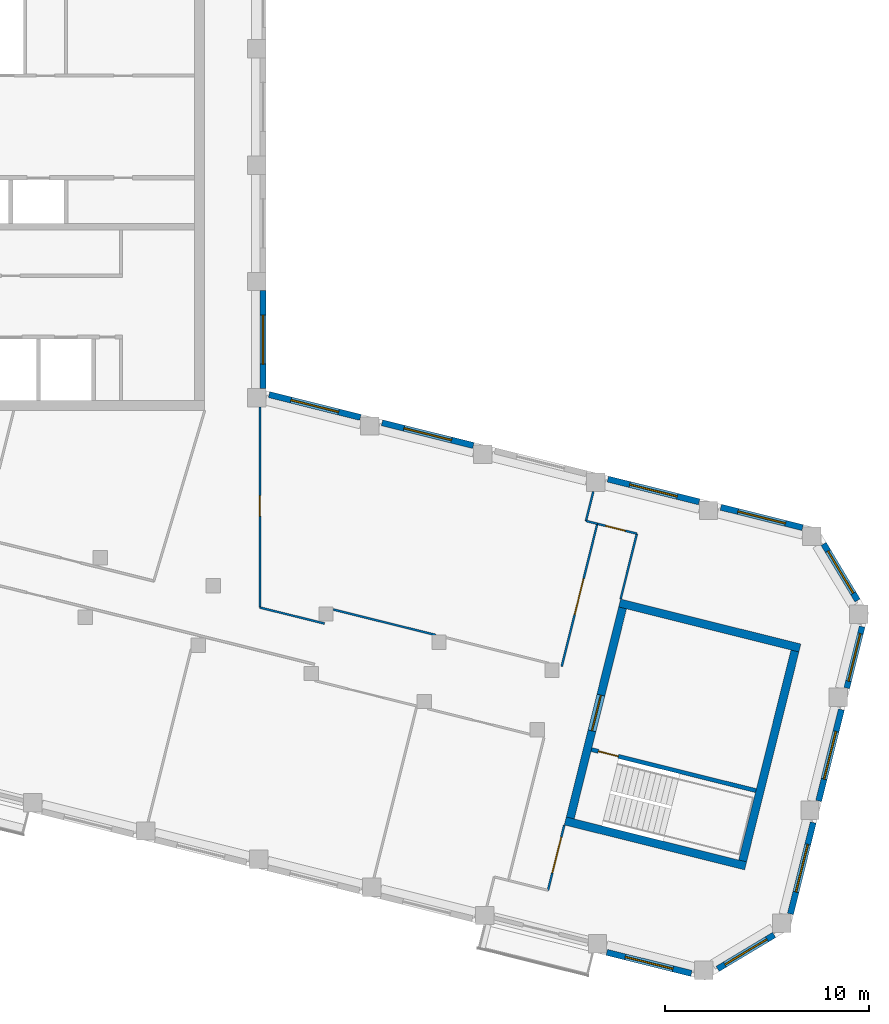
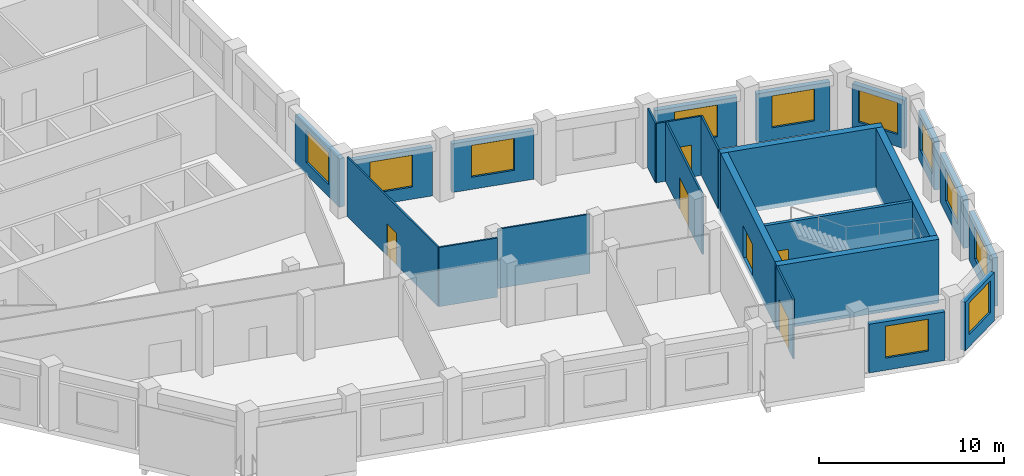
# One storey, part 4 of 8: 25 walls, 11 windows, 6 doors, 17 openings.
"""IFC4 building model written with IfcOpenShell, lengths in metres."""

from ifc_helpers import new_model, si_unit, direction, frame, frame_2d, origin, place, context, subcontext, project, spatial, rectangle, extrude, material, layer, layer_set, type_object, element, fill, save


model = new_model("IFC4")

# Units and contexts
model_context = context("Model", 3, precision=1e-05, world=origin(), true_north=direction((0.0, 1.0)))
body_context = subcontext(model_context, "Body", "Model", "MODEL_VIEW")
ifc_project = project(units=[si_unit("LENGTHUNIT", "METRE"), si_unit("AREAUNIT", "SQUARE_METRE"), si_unit("VOLUMEUNIT", "CUBIC_METRE"), si_unit("PLANEANGLEUNIT", "RADIAN"), si_unit("MASSUNIT", "GRAM", prefix="KILO")], contexts=[model_context])

# Site, building, storey
site_placement = place(None, origin())
site = spatial("IfcSite", under=ifc_project, at=site_placement, CompositionType="ELEMENT")
building_placement = place(site_placement, origin())
building = spatial("IfcBuilding", under=site, at=building_placement, Name="Meshkara Civic Tower", CompositionType="ELEMENT")
storey_placement = place(building_placement, frame((0.0, 0.0, 362.39990234375)))
storey = spatial("IfcBuildingStorey", under=building, at=storey_placement, Name="L83", CompositionType="ELEMENT", Elevation=362.39990234375)

# Wall, opening, door
ifc_material_1 = material(Name="Corridor wall 100")
ifc_layer_1 = layer(ifc_material_1, 0.10009765625)
ifc_layer_set_1 = layer_set([ifc_layer_1], Name="Corridor wall 100")
wall_type_1 = type_object("IfcWallType", Name="Corridor wall 100", PredefinedType="PARTITIONING", material=ifc_layer_set_1)
wall_1_placement = place(storey_placement, frame((33.5, 4.452880859375, 0.0), z_axis=(0.0, 0.0, 1.0), x_axis=(0.0, 1.0, 0.0)))
wall_1 = element("IfcWall", 1, at=wall_1_placement, inside=storey, type_object=wall_type_1, Name="L83-W020", PredefinedType="PARTITIONING", context=body_context, shape_type="SweptSolid", body=[
    extrude(rectangle(XDim=9.816162109375, YDim=0.10009765625, at=frame_2d((4.908203125, 0.0))), origin(), (0.0, 0.0, 1.0), 3.900146484375),
])
opening_1_placement = place(wall_1_placement, frame((4.47998046875, 0.0, 0.0)))
opening_1 = element("IfcOpeningElement", 2, at=opening_1_placement, cuts=wall_1, Name="Opening L83-D009", PredefinedType="OPENING", context=body_context, shape_type="SweptSolid", body=[
    extrude(rectangle(XDim=1.0, YDim=2.10009765625, at=frame_2d((0.5, 1.050048828125))), frame((0.0, 0.06005859375, 0.0), z_axis=(0.0, -1.0, 0.0), x_axis=(1.0, 0.0, 0.0)), (0.0, 0.0, 1.0), 0.1201171875),
])
ifc_material_2 = material(Name="Door 1000 x 2100")
door_type_1 = type_object("IfcDoorType", Name="Door 1000 x 2100", OperationType="SINGLE_SWING_LEFT", PredefinedType="DOOR", material=ifc_material_2)
door_1_placement = place(opening_1_placement, origin())
door_1 = element("IfcDoor", 3, at=door_1_placement, inside=storey, type_object=door_type_1, Name="L83-D009", OperationType="SINGLE_SWING_LEFT", OverallHeight=2.10009765625, OverallWidth=1.0, PredefinedType="DOOR", context=body_context, shape_type="SweptSolid", body=[
    extrude(rectangle(XDim=1.0, YDim=2.10009765625, at=frame_2d((0.5, 1.050048828125))), frame((0.0, 0.02490234375, 0.0), z_axis=(0.0, -1.0, 0.0), x_axis=(1.0, 0.0, 0.0)), (0.0, 0.0, 1.0), 0.050048828125),
])
fill(opening_1, door_1)

# Walls
wall_2_placement = place(storey_placement, frame((36.669921875, 3.6630859375, 0.0), z_axis=(0.0, 0.0, 1.0), x_axis=(-0.970335618677, 0.241761839681, 0.0)))
element("IfcWall", 4, at=wall_2_placement, inside=storey, type_object=wall_type_1, Name="L83-W022", PredefinedType="PARTITIONING", context=body_context, shape_type="SweptSolid", body=[
    extrude(rectangle(XDim=3.266845703125, YDim=0.10009765625, at=frame_2d((1.63330078125, 0.0))), origin(), (0.0, 0.0, 1.0), 3.900146484375),
])
wall_3_placement = place(storey_placement, frame((42.10888671875, 3.10498046875, 0.0), z_axis=(0.0, 0.0, 1.0), x_axis=(-0.970289531541, 0.241946739969, 0.0)))
element("IfcWall", 5, at=wall_3_placement, inside=storey, type_object=wall_type_1, Name="L83-W024", PredefinedType="PARTITIONING", context=body_context, shape_type="SweptSolid", body=[
    extrude(rectangle(XDim=5.17041015625, YDim=0.10009765625, at=frame_2d((2.585205078125, 0.0))), origin(), (0.0, 0.0, 1.0), 3.900146484375),
])

# Wall, opening, door
wall_4_placement = place(storey_placement, frame((47.611083984375, -9.39697265625, 0.0), z_axis=(0.0, 0.0, 1.0), x_axis=(0.241786986316, 0.970329352977, 0.0)))
wall_4 = element("IfcWall", 6, at=wall_4_placement, inside=storey, type_object=wall_type_1, Name="L83-W027", PredefinedType="PARTITIONING", context=body_context, shape_type="SweptSolid", body=[
    extrude(rectangle(XDim=3.2998046875, YDim=0.10009765625, at=frame_2d((1.64990234375, 0.0))), origin(), (0.0, 0.0, 1.0), 3.900146484375),
])
opening_2_placement = place(wall_4_placement, frame((0.8798828125, 0.0, 0.0)))
opening_2 = element("IfcOpeningElement", 7, at=opening_2_placement, cuts=wall_4, Name="Opening L83-D001", PredefinedType="OPENING", context=body_context, shape_type="SweptSolid", body=[
    extrude(rectangle(XDim=1.800048828125, YDim=2.10009765625, at=frame_2d((0.89990234375, 1.050048828125))), frame((0.0, 0.06005859375, 0.0), z_axis=(0.0, -1.0, 0.0), x_axis=(1.0, 0.0, 0.0)), (0.0, 0.0, 1.0), 0.1201171875),
])
ifc_material_3 = material(Name="Door pair 1800 x 2100")
door_type_2 = type_object("IfcDoorType", Name="Door pair 1800 x 2100", OperationType="SINGLE_SWING_LEFT", PredefinedType="DOOR", material=ifc_material_3)
door_2_placement = place(opening_2_placement, origin())
door_2 = element("IfcDoor", 8, at=door_2_placement, inside=storey, type_object=door_type_2, Name="L83-D001", OperationType="DOUBLE_DOOR_SINGLE_SWING", OverallHeight=2.10009765625, OverallWidth=1.800048828125, PredefinedType="DOOR", context=body_context, shape_type="SweptSolid", body=[
    extrude(rectangle(XDim=1.800048828125, YDim=2.10009765625, at=frame_2d((0.89990234375, 1.050048828125))), frame((0.0, 0.02490234375, 0.0), z_axis=(0.0, -1.0, 0.0), x_axis=(1.0, 0.0, 0.0)), (0.0, 0.0, 1.0), 0.050048828125),
])
fill(opening_2, door_2)

wall_5_placement = place(storey_placement, frame((50.02490234375, 8.552001953125, 0.0), z_axis=(0.0, 0.0, 1.0), x_axis=(-0.241937193493, -0.970291911955, 0.0)))
wall_5 = element("IfcWall", 9, at=wall_5_placement, inside=storey, type_object=wall_type_1, Name="L83-W029", PredefinedType="PARTITIONING", context=body_context, shape_type="SweptSolid", body=[
    extrude(rectangle(XDim=7.199951171875, YDim=0.10009765625, at=frame_2d((3.60009765625, 0.0))), origin(), (0.0, 0.0, 1.0), 3.900146484375),
])
opening_3_placement = place(wall_5_placement, frame((2.780029296875, 0.0, 0.0)))
opening_3 = element("IfcOpeningElement", 10, at=opening_3_placement, cuts=wall_5, Name="Opening L83-D005", PredefinedType="OPENING", context=body_context, shape_type="SweptSolid", body=[
    extrude(rectangle(XDim=1.800048828125, YDim=2.10009765625, at=frame_2d((0.89990234375, 1.050048828125))), frame((0.0, 0.06005859375, 0.0), z_axis=(0.0, -1.0, 0.0), x_axis=(1.0, 0.0, 0.0)), (0.0, 0.0, 1.0), 0.1201171875),
])
door_3_placement = place(opening_3_placement, origin())
door_3 = element("IfcDoor", 11, at=door_3_placement, inside=storey, type_object=door_type_2, Name="L83-D005", OperationType="DOUBLE_DOOR_SINGLE_SWING", OverallHeight=2.10009765625, OverallWidth=1.800048828125, PredefinedType="DOOR", context=body_context, shape_type="SweptSolid", body=[
    extrude(rectangle(XDim=1.800048828125, YDim=2.10009765625, at=frame_2d((0.89990234375, 1.050048828125))), frame((0.0, 0.02490234375, 0.0), z_axis=(0.0, -1.0, 0.0), x_axis=(1.0, 0.0, 0.0)), (0.0, 0.0, 1.0), 0.050048828125),
])
fill(opening_3, door_3)

# Wall
wall_6_placement = place(storey_placement, frame((51.1669921875, 4.865966796875, 0.0), z_axis=(0.0, 0.0, 1.0), x_axis=(0.241839284064, 0.97031631991, 0.0)))
element("IfcWall", 12, at=wall_6_placement, inside=storey, type_object=wall_type_1, Name="L83-W030", PredefinedType="PARTITIONING", context=body_context, shape_type="SweptSolid", body=[
    extrude(rectangle(XDim=3.300048828125, YDim=0.10009765625, at=frame_2d((1.64990234375, 0.0))), origin(), (0.0, 0.0, 1.0), 3.900146484375),
])

# Wall, opening, door
wall_7_placement = place(storey_placement, frame((51.965087890625, 8.068115234375, 0.0), z_axis=(0.0, 0.0, 1.0), x_axis=(-0.970278804284, 0.241989755894, 0.0)))
wall_7 = element("IfcWall", 13, at=wall_7_placement, inside=storey, type_object=wall_type_1, Name="L83-W031", PredefinedType="PARTITIONING", context=body_context, shape_type="SweptSolid", body=[
    extrude(rectangle(XDim=1.99951171875, YDim=0.10009765625, at=frame_2d((0.999755859375, 0.0))), origin(), (0.0, 0.0, 1.0), 3.900146484375),
])
opening_4_placement = place(wall_7_placement, frame((0.580078125, 0.0, 0.0)))
opening_4 = element("IfcOpeningElement", 14, at=opening_4_placement, cuts=wall_7, Name="Opening L83-D010", PredefinedType="OPENING", context=body_context, shape_type="SweptSolid", body=[
    extrude(rectangle(XDim=1.0, YDim=2.10009765625, at=frame_2d((0.5, 1.050048828125))), frame((0.0, 0.06005859375, 0.0), z_axis=(0.0, -1.0, 0.0), x_axis=(1.0, 0.0, 0.0)), (0.0, 0.0, 1.0), 0.1201171875),
])
door_4_placement = place(opening_4_placement, origin())
door_4 = element("IfcDoor", 15, at=door_4_placement, inside=storey, type_object=door_type_1, Name="L83-D010", OperationType="SINGLE_SWING_LEFT", OverallHeight=2.10009765625, OverallWidth=1.0, PredefinedType="DOOR", context=body_context, shape_type="SweptSolid", body=[
    extrude(rectangle(XDim=1.0, YDim=2.10009765625, at=frame_2d((0.5, 1.050048828125))), frame((0.0, 0.02490234375, 0.0), z_axis=(0.0, -1.0, 0.0), x_axis=(1.0, 0.0, 0.0)), (0.0, 0.0, 1.0), 0.050048828125),
])
fill(opening_4, door_4)

# Wall, opening, window
ifc_material_4 = material(Name="Insulated infill panel with bronze anodised aluminium cladding", Category="aluminium")
ifc_layer_2 = layer(ifc_material_4, 0.300048828125)
ifc_layer_set_2 = layer_set([ifc_layer_2], Name="EXTERNAL INFILL WALL 300")
wall_type_2 = type_object("IfcWallType", Name="EXTERNAL INFILL WALL 300", PredefinedType="SOLIDWALL", material=ifc_layer_set_2)
wall_8_placement = place(storey_placement, frame((60.075927734375, 8.364990234375, 0.0), z_axis=(0.0, 0.0, 1.0), x_axis=(-0.970323340708, 0.24181111322, 0.0)))
wall_8 = element("IfcWall", 16, at=wall_8_placement, inside=storey, type_object=wall_type_2, Name="External wall", PredefinedType="SOLIDWALL", context=body_context, shape_type="SweptSolid", body=[
    extrude(rectangle(XDim=4.123291015625, YDim=0.300048828125, at=frame_2d((2.0615234375, 0.0))), origin(), (0.0, 0.0, 1.0), 3.2001953125),
])
opening_5_placement = place(wall_8_placement, frame((0.862060546875, 0.0, 0.800048828125)))
opening_5 = element("IfcOpeningElement", 17, at=opening_5_placement, cuts=wall_8, Name="Opening W7", PredefinedType="OPENING", context=body_context, shape_type="SweptSolid", body=[
    extrude(rectangle(XDim=2.39990234375, YDim=2.10009765625, at=frame_2d((1.199951171875, 1.050048828125))), frame((0.0, 0.159912109375, 0.0), z_axis=(0.0, -1.0, 0.0), x_axis=(1.0, 0.0, 0.0)), (0.0, 0.0, 1.0), 0.320068359375),
])
ifc_material_5 = material(Name="Tinted double glazing", Category="glass")
window_type = type_object("IfcWindowType", Name="WINDOW 2400x2100", PartitioningType="DOUBLE_PANEL_VERTICAL", PredefinedType="WINDOW", material=ifc_material_5)
window_1_placement = place(opening_5_placement, origin())
window_1 = element("IfcWindow", 18, at=window_1_placement, inside=storey, type_object=window_type, Name="Window", OverallHeight=2.10009765625, OverallWidth=2.39990234375, PartitioningType="DOUBLE_PANEL_VERTICAL", PredefinedType="WINDOW", context=body_context, shape_type="SweptSolid", body=[
    extrude(rectangle(XDim=2.39990234375, YDim=2.10009765625, at=frame_2d((1.199951171875, 1.050048828125))), frame((0.0, 0.030029296875, 0.0), z_axis=(0.0, -1.0, 0.0), x_axis=(1.0, 0.0, 0.0)), (0.0, 0.0, 1.0), 0.06005859375),
])
fill(opening_5, window_1)

wall_9_placement = place(storey_placement, frame((55.01611328125, 9.6259765625, 0.0), z_axis=(0.0, 0.0, 1.0), x_axis=(-0.970298093093, 0.241912402618, 0.0)))
wall_9 = element("IfcWall", 19, at=wall_9_placement, inside=storey, type_object=wall_type_2, Name="External wall", PredefinedType="SOLIDWALL", context=body_context, shape_type="SweptSolid", body=[
    extrude(rectangle(XDim=4.609130859375, YDim=0.300048828125, at=frame_2d((2.3046875, 0.0))), origin(), (0.0, 0.0, 1.0), 3.2001953125),
])
opening_6_placement = place(wall_9_placement, frame((1.10498046875, 0.0, 0.800048828125)))
opening_6 = element("IfcOpeningElement", 20, at=opening_6_placement, cuts=wall_9, Name="Opening W7", PredefinedType="OPENING", context=body_context, shape_type="SweptSolid", body=[
    extrude(rectangle(XDim=2.39990234375, YDim=2.10009765625, at=frame_2d((1.199951171875, 1.050048828125))), frame((0.0, 0.159912109375, 0.0), z_axis=(0.0, -1.0, 0.0), x_axis=(1.0, 0.0, 0.0)), (0.0, 0.0, 1.0), 0.320068359375),
])
window_2_placement = place(opening_6_placement, origin())
window_2 = element("IfcWindow", 21, at=window_2_placement, inside=storey, type_object=window_type, Name="Window", OverallHeight=2.10009765625, OverallWidth=2.39990234375, PartitioningType="DOUBLE_PANEL_VERTICAL", PredefinedType="WINDOW", context=body_context, shape_type="SweptSolid", body=[
    extrude(rectangle(XDim=2.39990234375, YDim=2.10009765625, at=frame_2d((1.199951171875, 1.050048828125))), frame((0.0, 0.030029296875, 0.0), z_axis=(0.0, -1.0, 0.0), x_axis=(1.0, 0.0, 0.0)), (0.0, 0.0, 1.0), 0.06005859375),
])
fill(opening_6, window_2)

wall_10_placement = place(storey_placement, frame((43.9541015625, 12.384033203125, 0.0), z_axis=(0.0, 0.0, 1.0), x_axis=(-0.970285689791, 0.241962146187, 0.0)))
wall_10 = element("IfcWall", 22, at=wall_10_placement, inside=storey, type_object=wall_type_2, Name="External wall", PredefinedType="SOLIDWALL", context=body_context, shape_type="SweptSolid", body=[
    extrude(rectangle(XDim=4.608154296875, YDim=0.300048828125, at=frame_2d((2.30419921875, 0.0))), origin(), (0.0, 0.0, 1.0), 3.2001953125),
])
opening_7_placement = place(wall_10_placement, frame((1.10400390625, 0.0, 0.800048828125)))
opening_7 = element("IfcOpeningElement", 23, at=opening_7_placement, cuts=wall_10, Name="Opening W7", PredefinedType="OPENING", context=body_context, shape_type="SweptSolid", body=[
    extrude(rectangle(XDim=2.39990234375, YDim=2.10009765625, at=frame_2d((1.199951171875, 1.050048828125))), frame((0.0, 0.159912109375, 0.0), z_axis=(0.0, -1.0, 0.0), x_axis=(1.0, 0.0, 0.0)), (0.0, 0.0, 1.0), 0.320068359375),
])
window_3_placement = place(opening_7_placement, origin())
window_3 = element("IfcWindow", 24, at=window_3_placement, inside=storey, type_object=window_type, Name="Window", OverallHeight=2.10009765625, OverallWidth=2.39990234375, PartitioningType="DOUBLE_PANEL_VERTICAL", PredefinedType="WINDOW", context=body_context, shape_type="SweptSolid", body=[
    extrude(rectangle(XDim=2.39990234375, YDim=2.10009765625, at=frame_2d((1.199951171875, 1.050048828125))), frame((0.0, 0.030029296875, 0.0), z_axis=(0.0, -1.0, 0.0), x_axis=(1.0, 0.0, 0.0)), (0.0, 0.0, 1.0), 0.06005859375),
])
fill(opening_7, window_3)

wall_11_placement = place(storey_placement, frame((38.424072265625, 13.762939453125, 0.0), z_axis=(0.0, 0.0, 1.0), x_axis=(-0.970248341479, 0.24211186641, 0.0)))
wall_11 = element("IfcWall", 25, at=wall_11_placement, inside=storey, type_object=wall_type_2, Name="External wall", PredefinedType="SOLIDWALL", context=body_context, shape_type="SweptSolid", body=[
    extrude(rectangle(XDim=4.609375, YDim=0.300048828125, at=frame_2d((2.3046875, 0.0))), origin(), (0.0, 0.0, 1.0), 3.2001953125),
])
opening_8_placement = place(wall_11_placement, frame((1.10498046875, 0.0, 0.800048828125)))
opening_8 = element("IfcOpeningElement", 26, at=opening_8_placement, cuts=wall_11, Name="Opening W7", PredefinedType="OPENING", context=body_context, shape_type="SweptSolid", body=[
    extrude(rectangle(XDim=2.39990234375, YDim=2.10009765625, at=frame_2d((1.199951171875, 1.050048828125))), frame((0.0, 0.159912109375, 0.0), z_axis=(0.0, -1.0, 0.0), x_axis=(1.0, 0.0, 0.0)), (0.0, 0.0, 1.0), 0.320068359375),
])
window_4_placement = place(opening_8_placement, origin())
window_4 = element("IfcWindow", 27, at=window_4_placement, inside=storey, type_object=window_type, Name="Window", OverallHeight=2.10009765625, OverallWidth=2.39990234375, PartitioningType="DOUBLE_PANEL_VERTICAL", PredefinedType="WINDOW", context=body_context, shape_type="SweptSolid", body=[
    extrude(rectangle(XDim=2.39990234375, YDim=2.10009765625, at=frame_2d((1.199951171875, 1.050048828125))), frame((0.0, 0.030029296875, 0.0), z_axis=(0.0, -1.0, 0.0), x_axis=(1.0, 0.0, 0.0)), (0.0, 0.0, 1.0), 0.06005859375),
])
fill(opening_8, window_4)

wall_12_placement = place(storey_placement, frame((33.64990234375, 15.1689453125, 0.0), z_axis=(0.0, 0.0, 1.0), x_axis=(0.0, 1.0, 0.0)))
wall_12 = element("IfcWall", 28, at=wall_12_placement, inside=storey, type_object=wall_type_2, Name="External wall", PredefinedType="SOLIDWALL", context=body_context, shape_type="SweptSolid", body=[
    extrude(rectangle(XDim=4.800048828125, YDim=0.300048828125, at=frame_2d((2.39990234375, 0.0))), origin(), (0.0, 0.0, 1.0), 3.2001953125),
])
opening_9_placement = place(wall_12_placement, frame((1.199951171875, 0.0, 0.800048828125)))
opening_9 = element("IfcOpeningElement", 29, at=opening_9_placement, cuts=wall_12, Name="Opening W7", PredefinedType="OPENING", context=body_context, shape_type="SweptSolid", body=[
    extrude(rectangle(XDim=2.39990234375, YDim=2.10009765625, at=frame_2d((1.199951171875, 1.050048828125))), frame((0.0, 0.159912109375, 0.0), z_axis=(0.0, -1.0, 0.0), x_axis=(1.0, 0.0, 0.0)), (0.0, 0.0, 1.0), 0.320068359375),
])
window_5_placement = place(opening_9_placement, origin())
window_5 = element("IfcWindow", 30, at=window_5_placement, inside=storey, type_object=window_type, Name="Window", OverallHeight=2.10009765625, OverallWidth=2.39990234375, PartitioningType="DOUBLE_PANEL_VERTICAL", PredefinedType="WINDOW", context=body_context, shape_type="SweptSolid", body=[
    extrude(rectangle(XDim=2.39990234375, YDim=2.10009765625, at=frame_2d((1.199951171875, 1.050048828125))), frame((0.0, 0.030029296875, 0.0), z_axis=(0.0, -1.0, 0.0), x_axis=(1.0, 0.0, 0.0)), (0.0, 0.0, 1.0), 0.06005859375),
])
fill(opening_9, window_5)

wall_13_placement = place(storey_placement, frame((50.491943359375, -12.43505859375, 0.0), z_axis=(0.0, 0.0, 1.0), x_axis=(0.970323940244, -0.241808707429, 0.0)))
wall_13 = element("IfcWall", 31, at=wall_13_placement, inside=storey, type_object=wall_type_2, Name="External wall", PredefinedType="SOLIDWALL", context=body_context, shape_type="SweptSolid", body=[
    extrude(rectangle(XDim=4.267822265625, YDim=0.300048828125, at=frame_2d((2.1337890625, 0.0))), origin(), (0.0, 0.0, 1.0), 3.2001953125),
])
opening_10_placement = place(wall_13_placement, frame((0.93408203125, 0.0, 0.800048828125)))
opening_10 = element("IfcOpeningElement", 32, at=opening_10_placement, cuts=wall_13, Name="Opening W7", PredefinedType="OPENING", context=body_context, shape_type="SweptSolid", body=[
    extrude(rectangle(XDim=2.39990234375, YDim=2.10009765625, at=frame_2d((1.199951171875, 1.050048828125))), frame((0.0, 0.159912109375, 0.0), z_axis=(0.0, -1.0, 0.0), x_axis=(1.0, 0.0, 0.0)), (0.0, 0.0, 1.0), 0.320068359375),
])
window_6_placement = place(opening_10_placement, origin())
window_6 = element("IfcWindow", 33, at=window_6_placement, inside=storey, type_object=window_type, Name="Window", OverallHeight=2.10009765625, OverallWidth=2.39990234375, PartitioningType="DOUBLE_PANEL_VERTICAL", PredefinedType="WINDOW", context=body_context, shape_type="SweptSolid", body=[
    extrude(rectangle(XDim=2.39990234375, YDim=2.10009765625, at=frame_2d((1.199951171875, 1.050048828125))), frame((0.0, 0.030029296875, 0.0), z_axis=(0.0, -1.0, 0.0), x_axis=(1.0, 0.0, 0.0)), (0.0, 0.0, 1.0), 0.06005859375),
])
fill(opening_10, window_6)

wall_14_placement = place(storey_placement, frame((55.9189453125, -13.2470703125, 0.0), z_axis=(0.0, 0.0, 1.0), x_axis=(0.857239224167, 0.514918355226, 0.0)))
wall_14 = element("IfcWall", 34, at=wall_14_placement, inside=storey, type_object=wall_type_2, Name="External wall", PredefinedType="SOLIDWALL", context=body_context, shape_type="SweptSolid", body=[
    extrude(rectangle(XDim=3.22802734375, YDim=0.300048828125, at=frame_2d((1.614013671875, 0.0))), origin(), (0.0, 0.0, 1.0), 3.2001953125),
])
opening_11_placement = place(wall_14_placement, frame((0.4140625, 0.0, 0.800048828125)))
opening_11 = element("IfcOpeningElement", 35, at=opening_11_placement, cuts=wall_14, Name="Opening W7", PredefinedType="OPENING", context=body_context, shape_type="SweptSolid", body=[
    extrude(rectangle(XDim=2.39990234375, YDim=2.10009765625, at=frame_2d((1.199951171875, 1.050048828125))), frame((0.0, 0.159912109375, 0.0), z_axis=(0.0, -1.0, 0.0), x_axis=(1.0, 0.0, 0.0)), (0.0, 0.0, 1.0), 0.320068359375),
])
window_7_placement = place(opening_11_placement, origin())
window_7 = element("IfcWindow", 36, at=window_7_placement, inside=storey, type_object=window_type, Name="Window", OverallHeight=2.10009765625, OverallWidth=2.39990234375, PartitioningType="DOUBLE_PANEL_VERTICAL", PredefinedType="WINDOW", context=body_context, shape_type="SweptSolid", body=[
    extrude(rectangle(XDim=2.39990234375, YDim=2.10009765625, at=frame_2d((1.199951171875, 1.050048828125))), frame((0.0, 0.030029296875, 0.0), z_axis=(0.0, -1.0, 0.0), x_axis=(1.0, 0.0, 0.0)), (0.0, 0.0, 1.0), 0.06005859375),
])
fill(opening_11, window_7)

wall_15_placement = place(storey_placement, frame((59.485107421875, -10.552001953125, 0.0), z_axis=(0.0, 0.0, 1.0), x_axis=(0.241924836652, 0.970294992984, 0.0)))
wall_15 = element("IfcWall", 37, at=wall_15_placement, inside=storey, type_object=wall_type_2, Name="External wall", PredefinedType="SOLIDWALL", context=body_context, shape_type="SweptSolid", body=[
    extrude(rectangle(XDim=4.60888671875, YDim=0.300048828125, at=frame_2d((2.304443359375, 0.0))), origin(), (0.0, 0.0, 1.0), 3.2001953125),
])
opening_12_placement = place(wall_15_placement, frame((1.10498046875, 0.0, 0.800048828125)))
opening_12 = element("IfcOpeningElement", 38, at=opening_12_placement, cuts=wall_15, Name="Opening W7", PredefinedType="OPENING", context=body_context, shape_type="SweptSolid", body=[
    extrude(rectangle(XDim=2.39990234375, YDim=2.10009765625, at=frame_2d((1.199951171875, 1.050048828125))), frame((0.0, 0.159912109375, 0.0), z_axis=(0.0, -1.0, 0.0), x_axis=(1.0, 0.0, 0.0)), (0.0, 0.0, 1.0), 0.320068359375),
])
window_8_placement = place(opening_12_placement, origin())
window_8 = element("IfcWindow", 39, at=window_8_placement, inside=storey, type_object=window_type, Name="Window", OverallHeight=2.10009765625, OverallWidth=2.39990234375, PartitioningType="DOUBLE_PANEL_VERTICAL", PredefinedType="WINDOW", context=body_context, shape_type="SweptSolid", body=[
    extrude(rectangle(XDim=2.39990234375, YDim=2.10009765625, at=frame_2d((1.199951171875, 1.050048828125))), frame((0.0, 0.030029296875, 0.0), z_axis=(0.0, -1.0, 0.0), x_axis=(1.0, 0.0, 0.0)), (0.0, 0.0, 1.0), 0.06005859375),
])
fill(opening_12, window_8)

wall_16_placement = place(storey_placement, frame((60.864013671875, -5.02099609375, 0.0), z_axis=(0.0, 0.0, 1.0), x_axis=(0.241775045801, 0.97033232824, 0.0)))
wall_16 = element("IfcWall", 40, at=wall_16_placement, inside=storey, type_object=wall_type_2, Name="External wall", PredefinedType="SOLIDWALL", context=body_context, shape_type="SweptSolid", body=[
    extrude(rectangle(XDim=4.607666015625, YDim=0.300048828125, at=frame_2d((2.3037109375, 0.0))), origin(), (0.0, 0.0, 1.0), 3.2001953125),
])
opening_13_placement = place(wall_16_placement, frame((1.10400390625, 0.0, 0.800048828125)))
opening_13 = element("IfcOpeningElement", 41, at=opening_13_placement, cuts=wall_16, Name="Opening W7", PredefinedType="OPENING", context=body_context, shape_type="SweptSolid", body=[
    extrude(rectangle(XDim=2.39990234375, YDim=2.10009765625, at=frame_2d((1.199951171875, 1.050048828125))), frame((0.0, 0.159912109375, 0.0), z_axis=(0.0, -1.0, 0.0), x_axis=(1.0, 0.0, 0.0)), (0.0, 0.0, 1.0), 0.320068359375),
])
window_9_placement = place(opening_13_placement, origin())
window_9 = element("IfcWindow", 42, at=window_9_placement, inside=storey, type_object=window_type, Name="Window", OverallHeight=2.10009765625, OverallWidth=2.39990234375, PartitioningType="DOUBLE_PANEL_VERTICAL", PredefinedType="WINDOW", context=body_context, shape_type="SweptSolid", body=[
    extrude(rectangle(XDim=2.39990234375, YDim=2.10009765625, at=frame_2d((1.199951171875, 1.050048828125))), frame((0.0, 0.030029296875, 0.0), z_axis=(0.0, -1.0, 0.0), x_axis=(1.0, 0.0, 0.0)), (0.0, 0.0, 1.0), 0.06005859375),
])
fill(opening_13, window_9)

wall_17_placement = place(storey_placement, frame((62.241943359375, 0.509033203125, 0.0), z_axis=(0.0, 0.0, 1.0), x_axis=(0.241941811838, 0.970290760383, 0.0)))
wall_17 = element("IfcWall", 43, at=wall_17_placement, inside=storey, type_object=wall_type_2, Name="External wall", PredefinedType="SOLIDWALL", context=body_context, shape_type="SweptSolid", body=[
    extrude(rectangle(XDim=3.095947265625, YDim=0.300048828125, at=frame_2d((1.5478515625, 0.0))), origin(), (0.0, 0.0, 1.0), 3.2001953125),
])
opening_14_placement = place(wall_17_placement, frame((0.347900390625, 0.0, 0.800048828125)))
opening_14 = element("IfcOpeningElement", 44, at=opening_14_placement, cuts=wall_17, Name="Opening W7", PredefinedType="OPENING", context=body_context, shape_type="SweptSolid", body=[
    extrude(rectangle(XDim=2.39990234375, YDim=2.10009765625, at=frame_2d((1.199951171875, 1.050048828125))), frame((0.0, 0.159912109375, 0.0), z_axis=(0.0, -1.0, 0.0), x_axis=(1.0, 0.0, 0.0)), (0.0, 0.0, 1.0), 0.320068359375),
])
window_10_placement = place(opening_14_placement, origin())
window_10 = element("IfcWindow", 45, at=window_10_placement, inside=storey, type_object=window_type, Name="Window", OverallHeight=2.10009765625, OverallWidth=2.39990234375, PartitioningType="DOUBLE_PANEL_VERTICAL", PredefinedType="WINDOW", context=body_context, shape_type="SweptSolid", body=[
    extrude(rectangle(XDim=2.39990234375, YDim=2.10009765625, at=frame_2d((1.199951171875, 1.050048828125))), frame((0.0, 0.030029296875, 0.0), z_axis=(0.0, -1.0, 0.0), x_axis=(1.0, 0.0, 0.0)), (0.0, 0.0, 1.0), 0.06005859375),
])
fill(opening_14, window_10)

wall_18_placement = place(storey_placement, frame((62.77099609375, 4.799072265625, 0.0), z_axis=(0.0, 0.0, 1.0), x_axis=(-0.514951742604, 0.857219168468, 0.0)))
wall_18 = element("IfcWall", 46, at=wall_18_placement, inside=storey, type_object=wall_type_2, Name="External wall", PredefinedType="SOLIDWALL", context=body_context, shape_type="SweptSolid", body=[
    extrude(rectangle(XDim=3.227783203125, YDim=0.300048828125, at=frame_2d((1.61376953125, 0.0))), origin(), (0.0, 0.0, 1.0), 3.2001953125),
])
opening_15_placement = place(wall_18_placement, frame((0.4140625, 0.0, 0.800048828125)))
opening_15 = element("IfcOpeningElement", 47, at=opening_15_placement, cuts=wall_18, Name="Opening W7", PredefinedType="OPENING", context=body_context, shape_type="SweptSolid", body=[
    extrude(rectangle(XDim=2.39990234375, YDim=2.10009765625, at=frame_2d((1.199951171875, 1.050048828125))), frame((0.0, 0.159912109375, 0.0), z_axis=(0.0, -1.0, 0.0), x_axis=(1.0, 0.0, 0.0)), (0.0, 0.0, 1.0), 0.320068359375),
])
window_11_placement = place(opening_15_placement, origin())
window_11 = element("IfcWindow", 48, at=window_11_placement, inside=storey, type_object=window_type, Name="Window", OverallHeight=2.10009765625, OverallWidth=2.39990234375, PartitioningType="DOUBLE_PANEL_VERTICAL", PredefinedType="WINDOW", context=body_context, shape_type="SweptSolid", body=[
    extrude(rectangle(XDim=2.39990234375, YDim=2.10009765625, at=frame_2d((1.199951171875, 1.050048828125))), frame((0.0, 0.030029296875, 0.0), z_axis=(0.0, -1.0, 0.0), x_axis=(1.0, 0.0, 0.0)), (0.0, 0.0, 1.0), 0.06005859375),
])
fill(opening_15, window_11)

# Walls
ifc_material_6 = material(Name="Concrete C50", Category="concrete")
ifc_layer_3 = layer(ifc_material_6, 0.39990234375)
ifc_layer_set_3 = layer_set([ifc_layer_3], Name="End core ring wall 400 C50")
wall_type_3 = type_object("IfcWallType", Name="End core ring wall 400 C50", PredefinedType="SHEAR", material=ifc_layer_set_3)
wall_19_placement = place(storey_placement, frame((48.4580078125, -6.0009765625, -0.2998046875), z_axis=(0.0, 0.0, 1.0), x_axis=(0.970281225948, -0.241980045814, 0.0)))
element("IfcWall", 49, at=wall_19_placement, inside=storey, type_object=wall_type_3, Name="L83-C032", PredefinedType="SHEAR", context=body_context, shape_type="SweptSolid", body=[
    extrude(rectangle(XDim=9.099609375, YDim=0.39990234375, at=frame_2d((4.5498046875, 0.0))), origin(), (0.0, 0.0, 1.0), 4.199951171875),
])
wall_20_placement = place(storey_placement, frame((51.118896484375, 4.672119140625, -0.2998046875), z_axis=(0.0, 0.0, 1.0), x_axis=(0.970300121521, -0.241904266553, 0.0)))
element("IfcWall", 50, at=wall_20_placement, inside=storey, type_object=wall_type_3, Name="L83-C033", PredefinedType="SHEAR", context=body_context, shape_type="SweptSolid", body=[
    extrude(rectangle(XDim=9.099365234375, YDim=0.39990234375, at=frame_2d((4.5498046875, 0.0))), origin(), (0.0, 0.0, 1.0), 4.199951171875),
])

# Wall, opening, door
wall_21_placement = place(storey_placement, frame((48.699951171875, -5.85595703125, -0.2998046875), z_axis=(0.0, 0.0, 1.0), x_axis=(0.241869030534, 0.970308905488, 0.0)))
wall_21 = element("IfcWall", 51, at=wall_21_placement, inside=storey, type_object=wall_type_3, Name="L83-C034", PredefinedType="SHEAR", context=body_context, shape_type="SweptSolid", body=[
    extrude(rectangle(XDim=10.6005859375, YDim=0.39990234375, at=frame_2d((5.30029296875, 0.0))), origin(), (0.0, 0.0, 1.0), 4.199951171875),
])
opening_16_placement = place(wall_21_placement, frame((4.39990234375, 0.0, 0.300048828125)))
opening_16 = element("IfcOpeningElement", 52, at=opening_16_placement, cuts=wall_21, Name="Opening L83-K202", PredefinedType="OPENING", context=body_context, shape_type="SweptSolid", body=[
    extrude(rectangle(XDim=1.800048828125, YDim=2.10009765625, at=frame_2d((0.89990234375, 1.050048828125))), frame((0.0, 0.2099609375, 0.0), z_axis=(0.0, -1.0, 0.0), x_axis=(1.0, 0.0, 0.0)), (0.0, 0.0, 1.0), 0.419921875),
])
ifc_material_7 = material(Name="Fire-rated door leaf in steel frame", Category="steel")
door_type_3 = type_object("IfcDoorType", Name="Core double door 1800 EI 60", OperationType="DOUBLE_DOOR_SINGLE_SWING", PredefinedType="DOOR", material=ifc_material_7)
door_5_placement = place(opening_16_placement, origin())
door_5 = element("IfcDoor", 53, at=door_5_placement, inside=storey, type_object=door_type_3, Name="L83-K202", OperationType="DOUBLE_DOOR_SINGLE_SWING", OverallHeight=2.10009765625, OverallWidth=1.800048828125, PredefinedType="DOOR", context=body_context, shape_type="SweptSolid", body=[
    extrude(rectangle(XDim=1.800048828125, YDim=2.10009765625, at=frame_2d((0.89990234375, 1.050048828125))), frame((0.0, 0.02490234375, 0.0), z_axis=(0.0, -1.0, 0.0), x_axis=(1.0, 0.0, 0.0)), (0.0, 0.0, 1.0), 0.050048828125),
])
fill(opening_16, door_5)

# Walls
wall_22_placement = place(storey_placement, frame((57.14208984375, -7.9599609375, -0.2998046875), z_axis=(0.0, 0.0, 1.0), x_axis=(0.241890652548, 0.970303515509, 0.0)))
element("IfcWall", 54, at=wall_22_placement, inside=storey, type_object=wall_type_3, Name="L83-C035", PredefinedType="SHEAR", context=body_context, shape_type="SweptSolid", body=[
    extrude(rectangle(XDim=10.599609375, YDim=0.39990234375, at=frame_2d((5.2998046875, 0.0))), origin(), (0.0, 0.0, 1.0), 4.199951171875),
])
ifc_material_8 = material(Name="Partition 100")
ifc_layer_4 = layer(ifc_material_8, 0.10009765625)
ifc_layer_set_4 = layer_set([ifc_layer_4], Name="Partition 100")
wall_type_4 = type_object("IfcWallType", Name="Partition 100", PredefinedType="PARTITIONING", material=ifc_layer_set_4)
wall_23_placement = place(storey_placement, frame((49.470947265625, 8.68994140625, 0.0), z_axis=(0.0, 0.0, 1.0), x_axis=(0.241646512959, 0.970364345375, 0.0)))
element("IfcWall", 55, at=wall_23_placement, inside=storey, type_object=wall_type_4, Name="L83-W042", PredefinedType="PARTITIONING", context=body_context, shape_type="SweptSolid", body=[
    extrude(rectangle(XDim=1.486083984375, YDim=0.10009765625, at=frame_2d((0.7431640625, 0.0))), origin(), (0.0, 0.0, 1.0), 3.900146484375),
])
wall_24_placement = place(storey_placement, frame((50.029052734375, 8.551025390625, 0.0), z_axis=(0.0, 0.0, 1.0), x_axis=(-0.970391687927, 0.241536688727, 0.0)))
element("IfcWall", 56, at=wall_24_placement, inside=storey, type_object=wall_type_4, Name="L83-W043", PredefinedType="PARTITIONING", context=body_context, shape_type="SweptSolid", body=[
    extrude(rectangle(XDim=0.5751953125, YDim=0.10009765625, at=frame_2d((0.28759765625, 0.0))), origin(), (0.0, 0.0, 1.0), 3.900146484375),
])

# Wall, opening, door
ifc_material_9 = material(Name="Concrete C40/50", Category="concrete")
ifc_layer_5 = layer(ifc_material_9, 0.199951171875)
ifc_layer_set_5 = layer_set([ifc_layer_5], Name="Stair enclosure wall 200 C40/50")
wall_type_5 = type_object("IfcWallType", Name="Stair enclosure wall 200 C40/50", PredefinedType="SOLIDWALL", material=ifc_layer_set_5)
wall_25_placement = place(storey_placement, frame((49.740966796875, -2.508056640625, 0.0), z_axis=(0.0, 0.0, 1.0), x_axis=(0.970289402158, -0.241947258837, 0.0)))
wall_25 = element("IfcWall", 57, at=wall_25_placement, inside=storey, type_object=wall_type_5, Name="L83-C036", PredefinedType="SOLIDWALL", context=body_context, shape_type="SweptSolid", body=[
    extrude(rectangle(XDim=8.299560546875, YDim=0.199951171875, at=frame_2d((4.14990234375, 0.0))), origin(), (0.0, 0.0, 1.0), 3.900146484375),
])
opening_17_placement = place(wall_25_placement, frame((0.35009765625, 0.0, 0.0)))
opening_17 = element("IfcOpeningElement", 58, at=opening_17_placement, cuts=wall_25, Name="Opening L83-K201", PredefinedType="OPENING", context=body_context, shape_type="SweptSolid", body=[
    extrude(rectangle(XDim=1.0, YDim=2.10009765625, at=frame_2d((0.5, 1.050048828125))), frame((0.0, 0.10986328125, 0.0), z_axis=(0.0, -1.0, 0.0), x_axis=(1.0, 0.0, 0.0)), (0.0, 0.0, 1.0), 0.219970703125),
])
ifc_material_10 = material(Name="Fire-rated door leaf in steel frame", Category="steel")
door_type_4 = type_object("IfcDoorType", Name="Stair door 1000 EI 120", OperationType="SINGLE_SWING_LEFT", PredefinedType="DOOR", material=ifc_material_10)
door_6_placement = place(opening_17_placement, origin())
door_6 = element("IfcDoor", 59, at=door_6_placement, inside=storey, type_object=door_type_4, Name="L83-K201", OperationType="SINGLE_SWING_LEFT", OverallHeight=2.10009765625, OverallWidth=1.0, PredefinedType="DOOR", context=body_context, shape_type="SweptSolid", body=[
    extrude(rectangle(XDim=1.0, YDim=2.10009765625, at=frame_2d((0.5, 1.050048828125))), frame((0.0, 0.02490234375, 0.0), z_axis=(0.0, -1.0, 0.0), x_axis=(1.0, 0.0, 0.0)), (0.0, 0.0, 1.0), 0.050048828125),
])
fill(opening_17, door_6)

save(model, "model.ifc")
